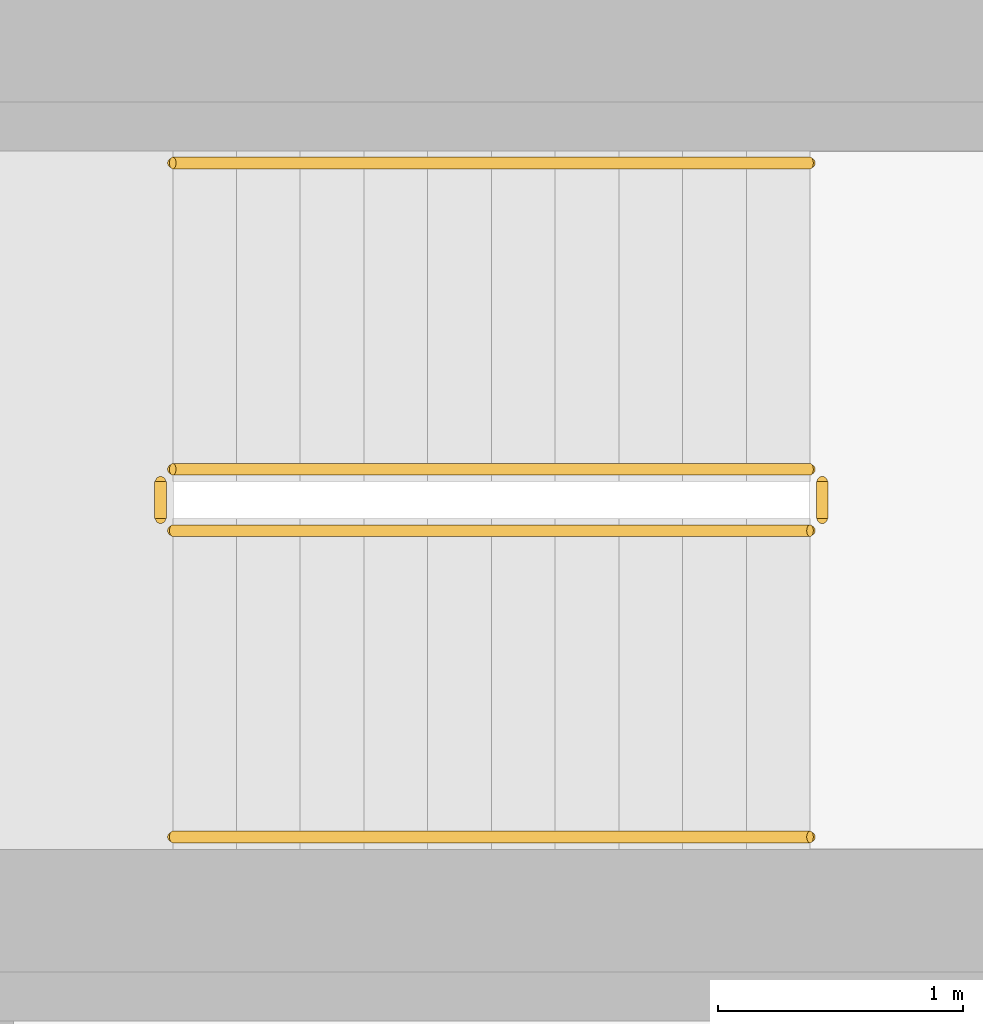
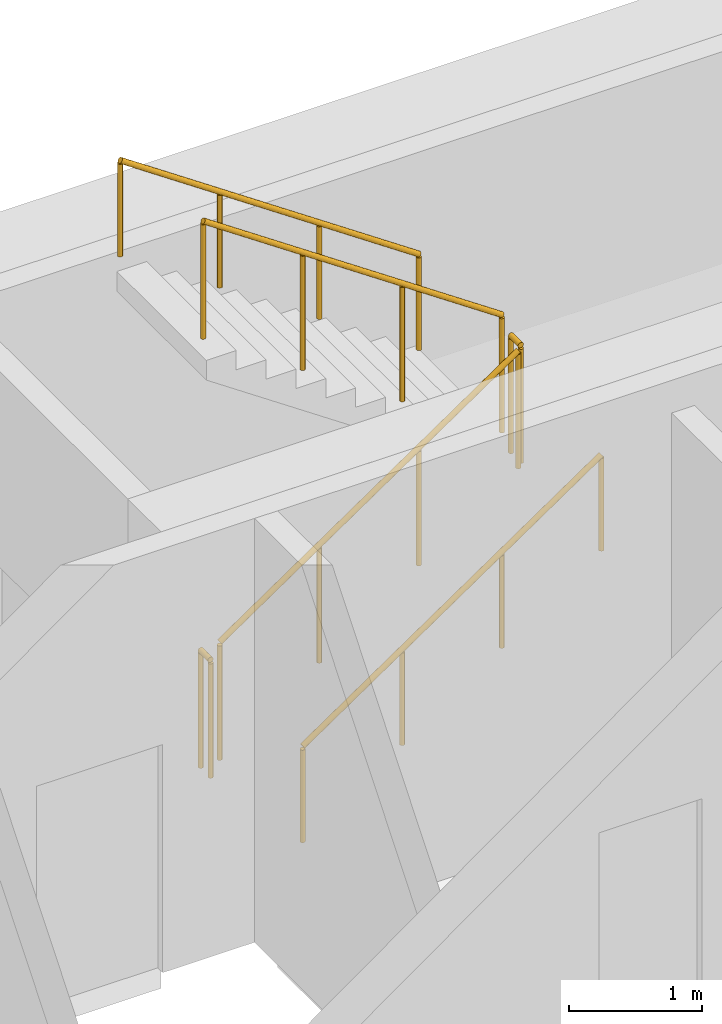
# One storey, part 8 of 8: 6 railings.
"""IFC4 building model written with IfcOpenShell, lengths in metres."""

from ifc_helpers import new_model, si_unit, direction, frame, origin, origin_2d, place, context, subcontext, project, spatial, circle, extrude, material, type_object, element, save


model = new_model("IFC4")

# Units and contexts
model_context = context("Model", 3, precision=1e-05, world=origin(), true_north=direction((0.0, 1.0)))
body_context = subcontext(model_context, "Body", "Model", "MODEL_VIEW")
ifc_project = project(units=[si_unit("LENGTHUNIT", "METRE"), si_unit("AREAUNIT", "SQUARE_METRE"), si_unit("VOLUMEUNIT", "CUBIC_METRE"), si_unit("PLANEANGLEUNIT", "RADIAN"), si_unit("MASSUNIT", "GRAM", prefix="KILO")], contexts=[model_context])

# Site, building, storey
site_placement = place(None, origin())
site = spatial("IfcSite", under=ifc_project, at=site_placement, CompositionType="ELEMENT")
building_placement = place(site_placement, origin())
building = spatial("IfcBuilding", under=site, at=building_placement, Name="White Candle Pilgrim Tower", CompositionType="ELEMENT")
storey_placement = place(building_placement, frame((0.0, 0.0, 291.199951171875)))
storey = spatial("IfcBuildingStorey", under=building, at=storey_placement, Name="L69", CompositionType="ELEMENT", Elevation=291.199951171875)

# Railings
ifc_material = material(Name="Stainless steel", Category="steel")
railing_type_1 = type_object("IfcRailingType", Name="Stair guard stainless steel 1100 mm", PredefinedType="GUARDRAIL", material=ifc_material)
railing_1_placement = place(storey_placement, frame((69.39990234375, 85.550048828125, 0.17724609375)))
element("IfcRailing", 1, at=railing_1_placement, inside=storey, type_object=railing_type_1, Name="L69 ST3 stair guard 1", PredefinedType="GUARDRAIL", context=body_context, shape_type="SweptSolid", body=[
    extrude(circle(Radius=0.02392578125, at=origin_2d()), frame((0.0, 0.0, 1.076171875), z_axis=(0.826240473404, 0.0, 0.563317565952), x_axis=(0.0, 1.0, 0.0)), (0.0, 0.0, 1.0), 3.14697265625),
    extrude(circle(Radius=0.02099609375, at=origin_2d()), origin(), (0.0, 0.0, 1.0), 1.052001953125),
    extrude(circle(Radius=0.02099609375, at=origin_2d()), frame((0.86669921875, 0.0, 0.5908203125)), (0.0, 0.0, 1.0), 1.052001953125),
    extrude(circle(Radius=0.02099609375, at=origin_2d()), frame((1.7333984375, 0.0, 1.181884765625)), (0.0, 0.0, 1.0), 1.052001953125),
    extrude(circle(Radius=0.02099609375, at=origin_2d()), frame((2.60009765625, 0.0, 1.772705078125)), (0.0, 0.0, 1.0), 1.052001953125),
])
railing_2_placement = place(storey_placement, frame((72.050048828125, 85.60009765625, 1.949951171875)))
element("IfcRailing", 2, at=railing_2_placement, inside=storey, type_object=railing_type_1, Name="L69 ST3 stair guard 2", PredefinedType="GUARDRAIL", context=body_context, shape_type="SweptSolid", body=[
    extrude(circle(Radius=0.02392578125, at=origin_2d()), frame((0.0, 0.0, 1.076171875), z_axis=(0.0, 1.0, 0.0), x_axis=(-1.0, 0.0, 0.0)), (0.0, 0.0, 1.0), 0.14990234375),
    extrude(circle(Radius=0.02099609375, at=origin_2d()), origin(), (0.0, 0.0, 1.0), 1.052001953125),
    extrude(circle(Radius=0.02099609375, at=origin_2d()), frame((0.0, 0.14990234375, 0.0)), (0.0, 0.0, 1.0), 1.052001953125),
])
railing_3_placement = place(storey_placement, frame((72.0, 85.800048828125, 2.12744140625)))
element("IfcRailing", 3, at=railing_3_placement, inside=storey, type_object=railing_type_1, Name="L69 ST3 stair guard 3", PredefinedType="GUARDRAIL", context=body_context, shape_type="SweptSolid", body=[
    extrude(circle(Radius=0.02392578125, at=origin_2d()), frame((0.0, 0.0, 1.076171875), z_axis=(-0.826240473404, 0.0, 0.563317565952), x_axis=(0.0, -1.0, 0.0)), (0.0, 0.0, 1.0), 3.14697265625),
    extrude(circle(Radius=0.02099609375, at=origin_2d()), origin(), (0.0, 0.0, 1.0), 1.052001953125),
    extrude(circle(Radius=0.02099609375, at=origin_2d()), frame((-0.86669921875, 0.0, 0.5908203125)), (0.0, 0.0, 1.0), 1.052001953125),
    extrude(circle(Radius=0.02099609375, at=origin_2d()), frame((-1.7333984375, 0.0, 1.181884765625)), (0.0, 0.0, 1.0), 1.052001953125),
    extrude(circle(Radius=0.02099609375, at=origin_2d()), frame((-2.60009765625, 0.0, 1.772705078125)), (0.0, 0.0, 1.0), 1.052001953125),
])
railing_4_placement = place(storey_placement, frame((69.35009765625, 85.60009765625, 0.0)))
element("IfcRailing", 4, at=railing_4_placement, inside=storey, type_object=railing_type_1, Name="L69 ST3 stair guard 4", PredefinedType="GUARDRAIL", context=body_context, shape_type="SweptSolid", body=[
    extrude(circle(Radius=0.02392578125, at=origin_2d()), frame((0.0, 0.0, 1.076171875), z_axis=(0.0, 1.0, 0.0), x_axis=(-1.0, 0.0, 0.0)), (0.0, 0.0, 1.0), 0.14990234375),
    extrude(circle(Radius=0.02099609375, at=origin_2d()), origin(), (0.0, 0.0, 1.0), 1.052001953125),
    extrude(circle(Radius=0.02099609375, at=origin_2d()), frame((0.0, 0.14990234375, 0.0)), (0.0, 0.0, 1.0), 1.052001953125),
])
railing_type_2 = type_object("IfcRailingType", Name="Stair handrail stainless steel", PredefinedType="HANDRAIL", material=ifc_material)
railing_5_placement = place(storey_placement, frame((69.39990234375, 84.300048828125, 0.17724609375)))
element("IfcRailing", 5, at=railing_5_placement, inside=storey, type_object=railing_type_2, Name="L69 ST3 stair handrail 1", PredefinedType="HANDRAIL", context=body_context, shape_type="SweptSolid", body=[
    extrude(circle(Radius=0.02392578125, at=origin_2d()), frame((0.0, 0.0, 0.8759765625), z_axis=(0.826240473404, 0.0, 0.563317565952), x_axis=(0.0, 1.0, 0.0)), (0.0, 0.0, 1.0), 3.14697265625),
    extrude(circle(Radius=0.02099609375, at=origin_2d()), origin(), (0.0, 0.0, 1.0), 0.851806640625),
    extrude(circle(Radius=0.02099609375, at=origin_2d()), frame((0.86669921875, 0.0, 0.5908203125)), (0.0, 0.0, 1.0), 0.851806640625),
    extrude(circle(Radius=0.02099609375, at=origin_2d()), frame((1.7333984375, 0.0, 1.181884765625)), (0.0, 0.0, 1.0), 0.851806640625),
    extrude(circle(Radius=0.02099609375, at=origin_2d()), frame((2.60009765625, 0.0, 1.772705078125)), (0.0, 0.0, 1.0), 0.851806640625),
])
railing_6_placement = place(storey_placement, frame((72.0, 87.050048828125, 2.12744140625)))
element("IfcRailing", 6, at=railing_6_placement, inside=storey, type_object=railing_type_2, Name="L69 ST3 stair handrail 2", PredefinedType="HANDRAIL", context=body_context, shape_type="SweptSolid", body=[
    extrude(circle(Radius=0.02392578125, at=origin_2d()), frame((0.0, 0.0, 0.8759765625), z_axis=(-0.826240473404, 0.0, 0.563317565952), x_axis=(0.0, -1.0, 0.0)), (0.0, 0.0, 1.0), 3.14697265625),
    extrude(circle(Radius=0.02099609375, at=origin_2d()), origin(), (0.0, 0.0, 1.0), 0.851806640625),
    extrude(circle(Radius=0.02099609375, at=origin_2d()), frame((-0.86669921875, 0.0, 0.5908203125)), (0.0, 0.0, 1.0), 0.851806640625),
    extrude(circle(Radius=0.02099609375, at=origin_2d()), frame((-1.7333984375, 0.0, 1.181884765625)), (0.0, 0.0, 1.0), 0.851806640625),
    extrude(circle(Radius=0.02099609375, at=origin_2d()), frame((-2.60009765625, 0.0, 1.772705078125)), (0.0, 0.0, 1.0), 0.851806640625),
])

save(model, "model.ifc")
